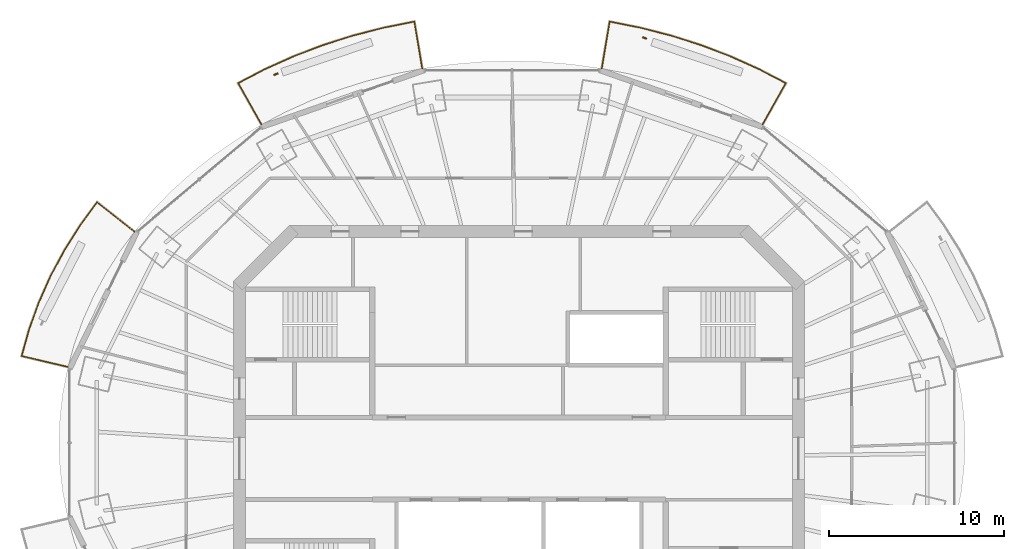
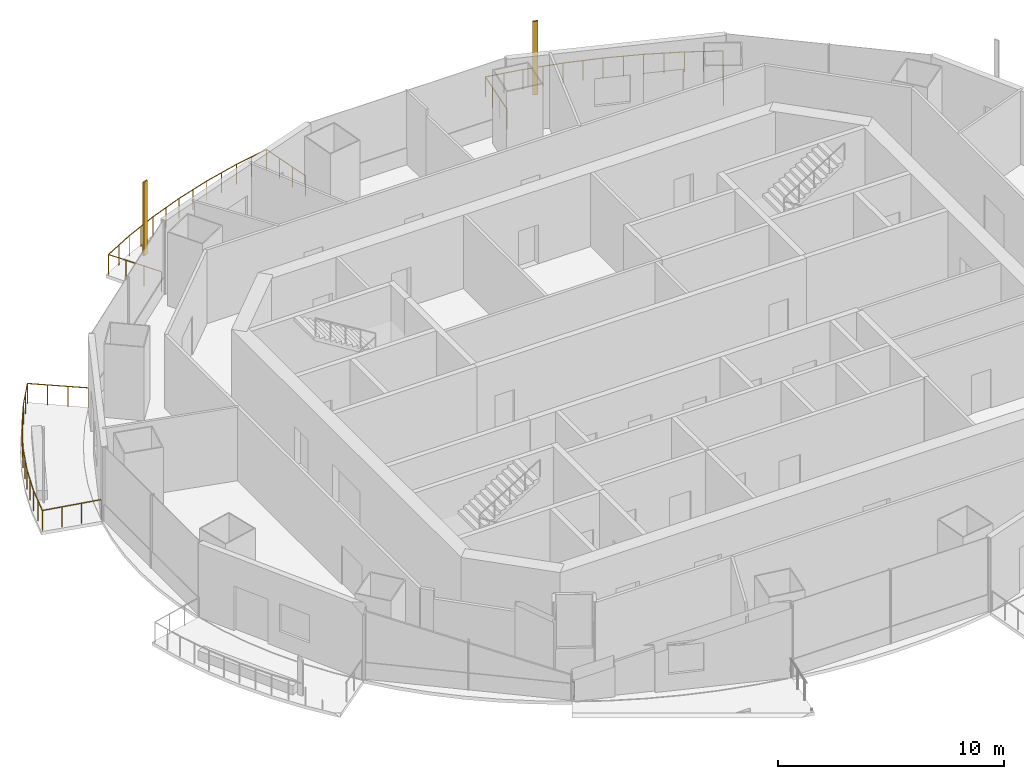
# One storey, part 14 of 16: 3 railings, 2 shading devices.
"""IFC4 building model written with IfcOpenShell, lengths in metres."""

from ifc_helpers import new_model, si_unit, direction, frame, origin, origin_2d, place, context, subcontext, project, spatial, rectangle, circle, extrude, material, material_profile, profile_set, type_object, element, save


model = new_model("IFC4")

# Units and contexts
model_context = context("Model", 3, precision=1e-05, world=origin(), true_north=direction((0.0, 1.0)))
body_context = subcontext(model_context, "Body", "Model", "MODEL_VIEW")
ifc_project = project(units=[si_unit("LENGTHUNIT", "METRE"), si_unit("AREAUNIT", "SQUARE_METRE"), si_unit("VOLUMEUNIT", "CUBIC_METRE"), si_unit("PLANEANGLEUNIT", "RADIAN"), si_unit("MASSUNIT", "GRAM", prefix="KILO")], contexts=[model_context])

# Site, building, storey
site_placement = place(None, origin())
site = spatial("IfcSite", under=ifc_project, at=site_placement, CompositionType="ELEMENT")
building_placement = place(site_placement, origin())
building = spatial("IfcBuilding", under=site, at=building_placement, Name="Marenthal Gate Tower", CompositionType="ELEMENT")
storey_placement = place(building_placement, frame((0.0, 0.0, 375.800048828125)))
storey = spatial("IfcBuildingStorey", under=building, at=storey_placement, Name="L85", CompositionType="ELEMENT", Elevation=375.800048828125)

# Railings
ifc_material_1 = material(Name="Stainless steel", Category="steel")
railing_type = type_object("IfcRailingType", Name="Balcony guard 1100", PredefinedType="GUARDRAIL", material=ifc_material_1)
railing_1_placement = place(storey_placement, frame((4.739990234375, 22.331787109375, 0.0)))
element("IfcRailing", 1, at=railing_1_placement, inside=storey, type_object=railing_type, Name="Balcony guard L85 bay 3", PredefinedType="GUARDRAIL", context=body_context, shape_type="SweptSolid", body=[
    extrude(circle(Radius=0.02392578125, at=origin_2d()), frame((0.0, 0.0, 1.076171875), z_axis=(0.165414456926, 0.986114290962, -0.01471946334), x_axis=(-0.986221135368, 0.165432379401, 0.0)), (0.0, 0.0, 1.0), 2.72021484375),
    extrude(circle(Radius=0.02392578125, at=origin_2d()), frame((0.449951171875, 2.682373046875, 1.0361328125), z_axis=(0.980989908715, -0.194058751412, 0.0), x_axis=(0.194058751412, 0.980989908715, 0.0)), (0.0, 0.0, 1.0), 1.757568359375),
    extrude(circle(Radius=0.02392578125, at=origin_2d()), frame((2.174072265625, 2.34130859375, 1.0361328125), z_axis=(0.968818339515, -0.247772123168, 0.0), x_axis=(0.247772123168, 0.968818339515, 0.0)), (0.0, 0.0, 1.0), 1.830810546875),
    extrude(circle(Radius=0.02392578125, at=origin_2d()), frame((3.94775390625, 1.8876953125, 1.0361328125), z_axis=(0.953152472364, -0.302490271623, 0.0), x_axis=(0.302490271623, 0.953152472364, 0.0)), (0.0, 0.0, 1.0), 1.822509765625),
    extrude(circle(Radius=0.02392578125, at=origin_2d()), frame((5.684814453125, 1.33642578125, 1.0361328125), z_axis=(0.934220833683, -0.356695155438, 0.0), x_axis=(0.356695155438, 0.934220833683, 0.0)), (0.0, 0.0, 1.0), 1.813232421875),
    extrude(circle(Radius=0.02392578125, at=origin_2d()), frame((7.378662109375, 0.689697265625, 1.0361328125), z_axis=(0.911738959801, -0.410770092851, 0.0), x_axis=(0.410770092851, 0.911738959801, 0.0)), (0.0, 0.0, 1.0), 1.802734375),
    extrude(circle(Radius=0.02392578125, at=origin_2d()), frame((9.022216796875, -0.05078125, 1.0361328125), z_axis=(0.886322623965, -0.463068252257, 0.0), x_axis=(0.463068252257, 0.886322623965, 0.0)), (0.0, 0.0, 1.0), 1.7109375),
    extrude(circle(Radius=0.02392578125, at=origin_2d()), frame((10.53857421875, -0.843017578125, 1.0361328125), z_axis=(-0.491021790399, -0.871022934714, 0.014718986223), x_axis=(0.871117302978, -0.491074988624, 0.0)), (0.0, 0.0, 1.0), 2.72021484375),
    extrude(circle(Radius=0.02099609375, at=origin_2d()), origin(), (0.0, 0.0, 1.0), 1.052001953125),
    extrude(circle(Radius=0.02099609375, at=origin_2d()), frame((0.14990234375, 0.89404296875, -0.013427734375)), (0.0, 0.0, 1.0), 1.052001953125),
    extrude(circle(Radius=0.02099609375, at=origin_2d()), frame((0.300048828125, 1.788330078125, -0.026611328125)), (0.0, 0.0, 1.0), 1.052001953125),
    extrude(circle(Radius=0.02099609375, at=origin_2d()), frame((0.449951171875, 2.682373046875, -0.0400390625)), (0.0, 0.0, 1.0), 1.052001953125),
    extrude(circle(Radius=0.02099609375, at=origin_2d()), frame((1.31201171875, 2.51171875, -0.0400390625)), (0.0, 0.0, 1.0), 1.052001953125),
    extrude(circle(Radius=0.02099609375, at=origin_2d()), frame((2.174072265625, 2.34130859375, -0.0400390625)), (0.0, 0.0, 1.0), 1.052001953125),
    extrude(circle(Radius=0.02099609375, at=origin_2d()), frame((3.06103515625, 2.114501953125, -0.0400390625)), (0.0, 0.0, 1.0), 1.052001953125),
    extrude(circle(Radius=0.02099609375, at=origin_2d()), frame((3.94775390625, 1.8876953125, -0.0400390625)), (0.0, 0.0, 1.0), 1.052001953125),
    extrude(circle(Radius=0.02099609375, at=origin_2d()), frame((4.81640625, 1.612060546875, -0.0400390625)), (0.0, 0.0, 1.0), 1.052001953125),
    extrude(circle(Radius=0.02099609375, at=origin_2d()), frame((5.684814453125, 1.33642578125, -0.0400390625)), (0.0, 0.0, 1.0), 1.052001953125),
    extrude(circle(Radius=0.02099609375, at=origin_2d()), frame((6.53173828125, 1.01318359375, -0.0400390625)), (0.0, 0.0, 1.0), 1.052001953125),
    extrude(circle(Radius=0.02099609375, at=origin_2d()), frame((7.378662109375, 0.689697265625, -0.0400390625)), (0.0, 0.0, 1.0), 1.052001953125),
    extrude(circle(Radius=0.02099609375, at=origin_2d()), frame((8.200439453125, 0.3193359375, -0.0400390625)), (0.0, 0.0, 1.0), 1.052001953125),
    extrude(circle(Radius=0.02099609375, at=origin_2d()), frame((9.022216796875, -0.05078125, -0.0400390625)), (0.0, 0.0, 1.0), 1.052001953125),
    extrude(circle(Radius=0.02099609375, at=origin_2d()), frame((9.7802734375, -0.44677734375, -0.0400390625)), (0.0, 0.0, 1.0), 1.052001953125),
    extrude(circle(Radius=0.02099609375, at=origin_2d()), frame((10.53857421875, -0.843017578125, -0.0400390625)), (0.0, 0.0, 1.0), 1.052001953125),
    extrude(circle(Radius=0.02099609375, at=origin_2d()), frame((10.09326171875, -1.6328125, -0.026611328125)), (0.0, 0.0, 1.0), 1.052001953125),
    extrude(circle(Radius=0.02099609375, at=origin_2d()), frame((9.648193359375, -2.422607421875, -0.013427734375)), (0.0, 0.0, 1.0), 1.052001953125),
    extrude(circle(Radius=0.02099609375, at=origin_2d()), frame((9.202880859375, -3.21240234375, 0.0)), (0.0, 0.0, 1.0), 1.052001953125),
])
railing_2_placement = place(storey_placement, frame((-14.742919921875, 19.119384765625, 0.0)))
element("IfcRailing", 2, at=railing_2_placement, inside=storey, type_object=railing_type, Name="Balcony guard L85 bay 5", PredefinedType="GUARDRAIL", context=body_context, shape_type="SweptSolid", body=[
    extrude(circle(Radius=0.02392578125, at=origin_2d()), frame((0.0, 0.0, 1.076171875), z_axis=(-0.491021790399, 0.871022934714, -0.014718986223), x_axis=(-0.871117302978, -0.491074988624, 0.0)), (0.0, 0.0, 1.0), 2.72021484375),
    extrude(circle(Radius=0.02392578125, at=origin_2d()), frame((-1.335693359375, 2.369384765625, 1.0361328125), z_axis=(0.886322623965, 0.463068252257, 0.0), x_axis=(-0.463068252257, 0.886322623965, 0.0)), (0.0, 0.0, 1.0), 1.7109375),
    extrude(circle(Radius=0.02392578125, at=origin_2d()), frame((0.1806640625, 3.16162109375, 1.0361328125), z_axis=(0.911738959801, 0.410770092851, 0.0), x_axis=(-0.410770092851, 0.911738959801, 0.0)), (0.0, 0.0, 1.0), 1.802734375),
    extrude(circle(Radius=0.02392578125, at=origin_2d()), frame((1.82421875, 3.902099609375, 1.0361328125), z_axis=(0.934220833683, 0.356695155438, 0.0), x_axis=(-0.356695155438, 0.934220833683, 0.0)), (0.0, 0.0, 1.0), 1.813232421875),
    extrude(circle(Radius=0.02392578125, at=origin_2d()), frame((3.51806640625, 4.548828125, 1.0361328125), z_axis=(0.953152472364, 0.302490271623, 0.0), x_axis=(-0.302490271623, 0.953152472364, 0.0)), (0.0, 0.0, 1.0), 1.822509765625),
    extrude(circle(Radius=0.02392578125, at=origin_2d()), frame((5.255126953125, 5.10009765625, 1.0361328125), z_axis=(0.968818339515, 0.247772123168, 0.0), x_axis=(-0.247772123168, 0.968818339515, 0.0)), (0.0, 0.0, 1.0), 1.830810546875),
    extrude(circle(Radius=0.02392578125, at=origin_2d()), frame((7.02880859375, 5.5537109375, 1.0361328125), z_axis=(0.980989908715, 0.194058751412, 0.0), x_axis=(-0.194058751412, 0.980989908715, 0.0)), (0.0, 0.0, 1.0), 1.757568359375),
    extrude(circle(Radius=0.02392578125, at=origin_2d()), frame((8.7529296875, 5.894775390625, 1.0361328125), z_axis=(0.165501751995, -0.986099647054, 0.014719244754), x_axis=(0.9862064867, 0.165519683396, 0.0)), (0.0, 0.0, 1.0), 2.72021484375),
    extrude(circle(Radius=0.02099609375, at=origin_2d()), origin(), (0.0, 0.0, 1.0), 1.052001953125),
    extrude(circle(Radius=0.02099609375, at=origin_2d()), frame((-0.4453125, 0.789794921875, -0.013427734375)), (0.0, 0.0, 1.0), 1.052001953125),
    extrude(circle(Radius=0.02099609375, at=origin_2d()), frame((-0.890380859375, 1.57958984375, -0.026611328125)), (0.0, 0.0, 1.0), 1.052001953125),
    extrude(circle(Radius=0.02099609375, at=origin_2d()), frame((-1.335693359375, 2.369384765625, -0.0400390625)), (0.0, 0.0, 1.0), 1.052001953125),
    extrude(circle(Radius=0.02099609375, at=origin_2d()), frame((-0.57763671875, 2.765625, -0.0400390625)), (0.0, 0.0, 1.0), 1.052001953125),
    extrude(circle(Radius=0.02099609375, at=origin_2d()), frame((0.1806640625, 3.16162109375, -0.0400390625)), (0.0, 0.0, 1.0), 1.052001953125),
    extrude(circle(Radius=0.02099609375, at=origin_2d()), frame((1.00244140625, 3.53173828125, -0.0400390625)), (0.0, 0.0, 1.0), 1.052001953125),
    extrude(circle(Radius=0.02099609375, at=origin_2d()), frame((1.82421875, 3.902099609375, -0.0400390625)), (0.0, 0.0, 1.0), 1.052001953125),
    extrude(circle(Radius=0.02099609375, at=origin_2d()), frame((2.671142578125, 4.2255859375, -0.0400390625)), (0.0, 0.0, 1.0), 1.052001953125),
    extrude(circle(Radius=0.02099609375, at=origin_2d()), frame((3.51806640625, 4.548828125, -0.0400390625)), (0.0, 0.0, 1.0), 1.052001953125),
    extrude(circle(Radius=0.02099609375, at=origin_2d()), frame((4.38671875, 4.824462890625, -0.0400390625)), (0.0, 0.0, 1.0), 1.052001953125),
    extrude(circle(Radius=0.02099609375, at=origin_2d()), frame((5.255126953125, 5.10009765625, -0.0400390625)), (0.0, 0.0, 1.0), 1.052001953125),
    extrude(circle(Radius=0.02099609375, at=origin_2d()), frame((6.14208984375, 5.326904296875, -0.0400390625)), (0.0, 0.0, 1.0), 1.052001953125),
    extrude(circle(Radius=0.02099609375, at=origin_2d()), frame((7.02880859375, 5.5537109375, -0.0400390625)), (0.0, 0.0, 1.0), 1.052001953125),
    extrude(circle(Radius=0.02099609375, at=origin_2d()), frame((7.890869140625, 5.72412109375, -0.0400390625)), (0.0, 0.0, 1.0), 1.052001953125),
    extrude(circle(Radius=0.02099609375, at=origin_2d()), frame((8.7529296875, 5.894775390625, -0.0400390625)), (0.0, 0.0, 1.0), 1.052001953125),
    extrude(circle(Radius=0.02099609375, at=origin_2d()), frame((8.903076171875, 5.000732421875, -0.026611328125)), (0.0, 0.0, 1.0), 1.052001953125),
    extrude(circle(Radius=0.02099609375, at=origin_2d()), frame((9.052978515625, 4.1064453125, -0.013427734375)), (0.0, 0.0, 1.0), 1.052001953125),
    extrude(circle(Radius=0.02099609375, at=origin_2d()), frame((9.203125, 3.21240234375, 0.0)), (0.0, 0.0, 1.0), 1.052001953125),
])
railing_3_placement = place(storey_placement, frame((-25.8251953125, 5.243408203125, 0.0)))
element("IfcRailing", 3, at=railing_3_placement, inside=storey, type_object=railing_type, Name="Balcony guard L85 bay 7", PredefinedType="GUARDRAIL", context=body_context, shape_type="SweptSolid", body=[
    extrude(circle(Radius=0.02392578125, at=origin_2d()), frame((0.0, 0.0, 1.076171875), z_axis=(-0.973222195999, 0.229394682126, -0.014718594628), x_axis=(-0.229419533855, -0.973327631112, 0.0)), (0.0, 0.0, 1.0), 2.72021484375),
    extrude(circle(Radius=0.02392578125, at=origin_2d()), frame((-2.6474609375, 0.6240234375, 1.0361328125), z_axis=(0.268420452005, 0.963301853494, 0.0), x_axis=(-0.963301853494, 0.268420452005, 0.0)), (0.0, 0.0, 1.0), 1.572509765625),
    extrude(circle(Radius=0.02392578125, at=origin_2d()), frame((-2.225341796875, 2.138916015625, 1.0361328125), z_axis=(0.338610035627, 0.940926800433, 0.0), x_axis=(-0.940926800433, 0.338610035627, 0.0)), (0.0, 0.0, 1.0), 1.658935546875),
    extrude(circle(Radius=0.02392578125, at=origin_2d()), frame((-1.66357421875, 3.699951171875, 1.0361328125), z_axis=(0.407605060016, 0.913158318721, 0.0), x_axis=(-0.913158318721, 0.407605060016, 0.0)), (0.0, 0.0, 1.0), 1.66748046875),
    extrude(circle(Radius=0.02392578125, at=origin_2d()), frame((-0.98388671875, 5.22265625, 1.0361328125), z_axis=(0.473457232822, 0.880816807679, 0.0), x_axis=(-0.880816807679, 0.473457232822, 0.0)), (0.0, 0.0, 1.0), 1.677001953125),
    extrude(circle(Radius=0.02392578125, at=origin_2d()), frame((-0.18994140625, 6.69970703125, 1.0361328125), z_axis=(0.535630087493, 0.844452727731, 0.0), x_axis=(-0.844452727731, 0.535630087493, 0.0)), (0.0, 0.0, 1.0), 1.687744140625),
    extrude(circle(Radius=0.02392578125, at=origin_2d()), frame((0.714111328125, 8.125, 1.0361328125), z_axis=(0.592180333089, 0.805805468524, 0.0), x_axis=(-0.805805468524, 0.592180333089, 0.0)), (0.0, 0.0, 1.0), 1.619384765625),
    extrude(circle(Radius=0.02392578125, at=origin_2d()), frame((1.673095703125, 9.429931640625, 1.0361328125), z_axis=(0.783891722645, -0.620723054021, 0.014719285839), x_axis=(0.620790307063, 0.783976654408, 0.0)), (0.0, 0.0, 1.0), 2.72021484375),
    extrude(circle(Radius=0.02099609375, at=origin_2d()), origin(), (0.0, 0.0, 1.0), 1.052001953125),
    extrude(circle(Radius=0.02099609375, at=origin_2d()), frame((-0.882568359375, 0.2080078125, -0.013427734375)), (0.0, 0.0, 1.0), 1.052001953125),
    extrude(circle(Radius=0.02099609375, at=origin_2d()), frame((-1.764892578125, 0.416015625, -0.026611328125)), (0.0, 0.0, 1.0), 1.052001953125),
    extrude(circle(Radius=0.02099609375, at=origin_2d()), frame((-2.6474609375, 0.6240234375, -0.0400390625)), (0.0, 0.0, 1.0), 1.052001953125),
    extrude(circle(Radius=0.02099609375, at=origin_2d()), frame((-2.4365234375, 1.38134765625, -0.0400390625)), (0.0, 0.0, 1.0), 1.052001953125),
    extrude(circle(Radius=0.02099609375, at=origin_2d()), frame((-2.225341796875, 2.138916015625, -0.0400390625)), (0.0, 0.0, 1.0), 1.052001953125),
    extrude(circle(Radius=0.02099609375, at=origin_2d()), frame((-1.9443359375, 2.91943359375, -0.0400390625)), (0.0, 0.0, 1.0), 1.052001953125),
    extrude(circle(Radius=0.02099609375, at=origin_2d()), frame((-1.66357421875, 3.699951171875, -0.0400390625)), (0.0, 0.0, 1.0), 1.052001953125),
    extrude(circle(Radius=0.02099609375, at=origin_2d()), frame((-1.32373046875, 4.46142578125, -0.0400390625)), (0.0, 0.0, 1.0), 1.052001953125),
    extrude(circle(Radius=0.02099609375, at=origin_2d()), frame((-0.98388671875, 5.22265625, -0.0400390625)), (0.0, 0.0, 1.0), 1.052001953125),
    extrude(circle(Radius=0.02099609375, at=origin_2d()), frame((-0.5869140625, 5.961181640625, -0.0400390625)), (0.0, 0.0, 1.0), 1.052001953125),
    extrude(circle(Radius=0.02099609375, at=origin_2d()), frame((-0.18994140625, 6.69970703125, -0.0400390625)), (0.0, 0.0, 1.0), 1.052001953125),
    extrude(circle(Radius=0.02099609375, at=origin_2d()), frame((0.26220703125, 7.412353515625, -0.0400390625)), (0.0, 0.0, 1.0), 1.052001953125),
    extrude(circle(Radius=0.02099609375, at=origin_2d()), frame((0.714111328125, 8.125, -0.0400390625)), (0.0, 0.0, 1.0), 1.052001953125),
    extrude(circle(Radius=0.02099609375, at=origin_2d()), frame((1.193603515625, 8.77734375, -0.0400390625)), (0.0, 0.0, 1.0), 1.052001953125),
    extrude(circle(Radius=0.02099609375, at=origin_2d()), frame((1.673095703125, 9.429931640625, -0.0400390625)), (0.0, 0.0, 1.0), 1.052001953125),
    extrude(circle(Radius=0.02099609375, at=origin_2d()), frame((2.3837890625, 8.8671875, -0.026611328125)), (0.0, 0.0, 1.0), 1.052001953125),
    extrude(circle(Radius=0.02099609375, at=origin_2d()), frame((3.0947265625, 8.30419921875, -0.013427734375)), (0.0, 0.0, 1.0), 1.052001953125),
    extrude(circle(Radius=0.02099609375, at=origin_2d()), frame((3.805419921875, 7.741455078125, 0.0)), (0.0, 0.0, 1.0), 1.052001953125),
])

# Shading devices
ifc_material_2 = material(Name="Terracotta", Category="masonry")
ifc_material_profile = material_profile(ifc_material_2, rectangle(XDim=0.25, YDim=0.080078125, at=origin_2d()), Name="Terracotta baguette 250x80")
ifc_profile_set = profile_set([ifc_material_profile], Name="Terracotta")
shading_device_type = type_object("IfcShadingDeviceType", Name="Terracotta BAGUETTE SCREEN 250x80", PredefinedType="USERDEFINED", material=ifc_profile_set)
for number, where, z_axis, x_axis, name in (
    (4, (7.192626953125, 24.072509765625, -0.0400390625), (0.0, 0.0, 1.0), (-0.944082187386, 0.329710211338, 0.0), "Terracotta BAGUETTE L85 bay 3R"),
    (5, (-13.913330078125, 22.0048828125, -0.0400390625), (0.0, 0.0, 1.0), (-0.944082187386, -0.329710211338, 0.0), "Terracotta BAGUETTE L85 bay 5R"),
):
    element("IfcShadingDevice", number, at=place(storey_placement, frame(where, z_axis=z_axis, x_axis=x_axis)), inside=storey, type_object=shading_device_type, Name=name, ObjectType="BAGUETTE SCREEN", PredefinedType="USERDEFINED", context=body_context, shape_type="SweptSolid", body=[
        extrude(rectangle(XDim=0.25, YDim=0.080078125, at=origin_2d()), origin(), (0.0, 0.0, 1.0), 3.969970703125),
    ])

save(model, "model.ifc")
